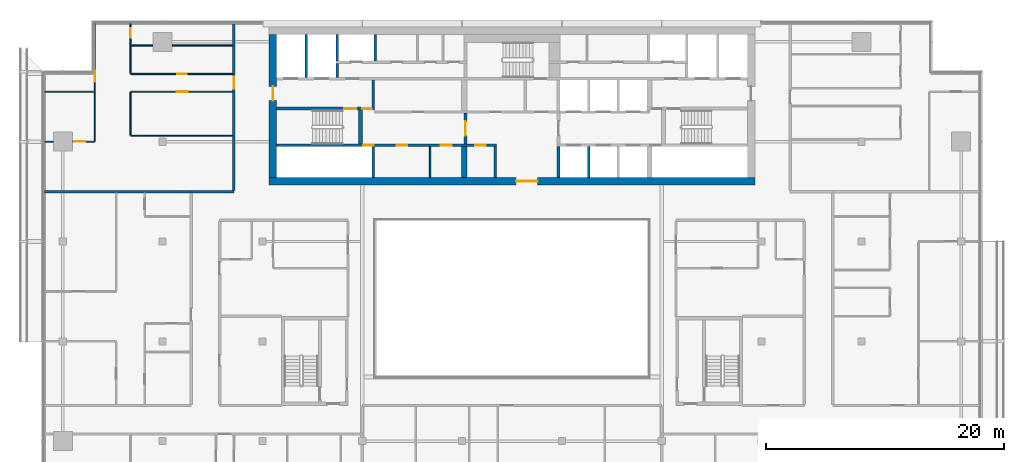
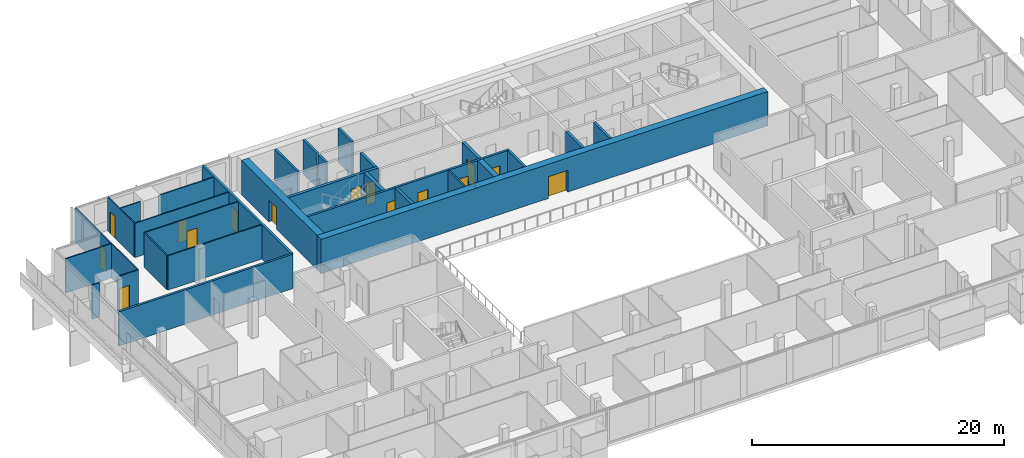
# One storey, part 21 of 29: 31 walls, 15 doors, 15 openings.
"""IFC4 building model written with IfcOpenShell, lengths in metres."""

from ifc_helpers import new_model, si_unit, direction, frame, frame_2d, origin, place, context, subcontext, project, spatial, rectangle, extrude, material, layer, layer_set, type_object, element, fill, save


model = new_model("IFC4")

# Units and contexts
model_context = context("Model", 3, precision=1e-05, world=origin(), true_north=direction((0.0, 1.0)))
body_context = subcontext(model_context, "Body", "Model", "MODEL_VIEW")
ifc_project = project(units=[si_unit("LENGTHUNIT", "METRE"), si_unit("AREAUNIT", "SQUARE_METRE"), si_unit("VOLUMEUNIT", "CUBIC_METRE"), si_unit("PLANEANGLEUNIT", "RADIAN"), si_unit("MASSUNIT", "GRAM", prefix="KILO")], contexts=[model_context])

# Site, building, storey
site_placement = place(None, origin())
site = spatial("IfcSite", under=ifc_project, at=site_placement, CompositionType="ELEMENT")
building_placement = place(site_placement, origin())
building = spatial("IfcBuilding", under=site, at=building_placement, Name="Saffron Gate Tower", CompositionType="ELEMENT")
storey_placement = place(building_placement, frame((0.0, 0.0, 219.89990234375)))
storey = spatial("IfcBuildingStorey", under=building, at=storey_placement, Name="L53", CompositionType="ELEMENT", Elevation=219.89990234375)

# Walls
ifc_material_1 = material(Name="Gypsum board partition on steel studs", Category="steel")
ifc_layer_1 = layer(ifc_material_1, 0.199951171875)
ifc_layer_set_1 = layer_set([ifc_layer_1], Name="CW10 Core partition 200")
wall_type_1 = type_object("IfcWallType", Name="CW10 Core partition 200", PredefinedType="PARTITIONING", material=ifc_layer_set_1)
wall_1_placement = place(storey_placement, frame((86.199951171875, 62.39990234375, 0.0), z_axis=(0.0, 0.0, 1.0), x_axis=(0.0, 1.0, 0.0)))
element("IfcWall", 1, at=wall_1_placement, inside=storey, type_object=wall_type_1, Name="Wall CW10-L53-8", PredefinedType="PARTITIONING", context=body_context, shape_type="SweptSolid", body=[
    extrude(rectangle(XDim=2.60009765625, YDim=0.199951171875, at=frame_2d((1.300048828125, 0.0))), origin(), (0.0, 0.0, 1.0), 3.320068359375),
])
ifc_material_2 = material(Name="Concrete C60", Category="concrete")
ifc_layer_2 = layer(ifc_material_2, 0.25)
ifc_layer_set_2 = layer_set([ifc_layer_2], Name="CW14 RC core wall 250 C60")
wall_type_2 = type_object("IfcWallType", Name="CW14 RC core wall 250 C60", PredefinedType="SOLIDWALL", material=ifc_layer_set_2)
for number, where, z_axis, x_axis, name in (
    (2, (75.925048828125, 62.39990234375, 0.0), (0.0, 0.0, 1.0), (0.0, 1.0, 0.0), "Wall CW14-L53-5"),
    (3, (91.52490234375, 62.39990234375, 0.0), (0.0, 0.0, 1.0), (0.0, 1.0, 0.0), "Wall CW14-L53-9"),
):
    element("IfcWall", number, at=place(storey_placement, frame(where, z_axis=z_axis, x_axis=x_axis)), inside=storey, type_object=wall_type_2, Name=name, PredefinedType="SOLIDWALL", context=body_context, shape_type="SweptSolid", body=[
        extrude(rectangle(XDim=2.60009765625, YDim=0.25, at=frame_2d((1.300048828125, 0.0))), origin(), (0.0, 0.0, 1.0), 3.320068359375),
    ])

# Wall, opening, door
wall_2_placement = place(storey_placement, frame((83.675048828125, 65.199951171875, 0.0), z_axis=(0.0, 0.0, 1.0), x_axis=(0.0, 1.0, 0.0)))
wall_2 = element("IfcWall", 4, at=wall_2_placement, inside=storey, type_object=wall_type_2, Name="Wall CW14-L53-16", PredefinedType="SOLIDWALL", context=body_context, shape_type="SweptSolid", body=[
    extrude(rectangle(XDim=2.60009765625, YDim=0.25, at=frame_2d((1.300048828125, 0.0))), origin(), (0.0, 0.0, 1.0), 3.320068359375),
])
opening_1_placement = place(wall_2_placement, frame((0.699951171875, 0.0, 0.0)))
opening_1 = element("IfcOpeningElement", 5, at=opening_1_placement, cuts=wall_2, Name="Opening CR-07", PredefinedType="OPENING", context=body_context, shape_type="SweptSolid", body=[
    extrude(rectangle(XDim=1.199951171875, YDim=2.10009765625, at=frame_2d((0.60009765625, 1.050048828125))), frame((0.0, 0.135009765625, 0.0), z_axis=(0.0, -1.0, 0.0), x_axis=(1.0, 0.0, 0.0)), (0.0, 0.0, 1.0), 0.27001953125),
])
ifc_material_3 = material(Name="Steel fire door set", Category="steel")
door_type_1 = type_object("IfcDoorType", Name="CD3 Lobby door 1200x2100 EI 120", OperationType="NOTDEFINED", PredefinedType="DOOR", material=ifc_material_3)
door_1_placement = place(opening_1_placement, origin())
door_1 = element("IfcDoor", 6, at=door_1_placement, inside=storey, type_object=door_type_1, Name="DOOR CR-07", OperationType="SINGLE_SWING_RIGHT", OverallHeight=2.10009765625, OverallWidth=1.199951171875, PredefinedType="DOOR", context=body_context, shape_type="SweptSolid", body=[
    extrude(rectangle(XDim=1.199951171875, YDim=2.10009765625, at=frame_2d((0.60009765625, 1.050048828125))), frame((0.0, 0.02490234375, 0.0), z_axis=(0.0, -1.0, 0.0), x_axis=(1.0, 0.0, 0.0)), (0.0, 0.0, 1.0), 0.050048828125),
])
fill(opening_1, door_1)

# Wall, openings, doors
wall_3_placement = place(storey_placement, frame((67.800048828125, 68.175048828125, 0.0), z_axis=(0.0, 0.0, 1.0), x_axis=(1.0, 0.0, 0.0)))
wall_3 = element("IfcWall", 7, at=wall_3_placement, inside=storey, type_object=wall_type_2, Name="Wall CW14-L53-26", PredefinedType="SOLIDWALL", context=body_context, shape_type="SweptSolid", body=[
    extrude(rectangle(XDim=8.25, YDim=0.25, at=frame_2d((4.125, 0.0))), origin(), (0.0, 0.0, 1.0), 3.320068359375),
])
opening_2_placement = place(wall_3_placement, frame((5.699951171875, 0.0, 0.0)))
opening_2 = element("IfcOpeningElement", 8, at=opening_2_placement, cuts=wall_3, Name="Opening CR-15", PredefinedType="OPENING", context=body_context, shape_type="SweptSolid", body=[
    extrude(rectangle(XDim=1.0, YDim=2.10009765625, at=frame_2d((0.5, 1.050048828125))), frame((0.0, 0.135009765625, 0.0), z_axis=(0.0, -1.0, 0.0), x_axis=(1.0, 0.0, 0.0)), (0.0, 0.0, 1.0), 0.27001953125),
])
opening_3_placement = place(wall_3_placement, frame((7.199951171875, 0.0, 0.0)))
opening_3 = element("IfcOpeningElement", 9, at=opening_3_placement, cuts=wall_3, Name="Opening CR-06", PredefinedType="OPENING", context=body_context, shape_type="SweptSolid", body=[
    extrude(rectangle(XDim=0.800048828125, YDim=2.10009765625, at=frame_2d((0.39990234375, 1.050048828125))), frame((0.0, 0.135009765625, 0.0), z_axis=(0.0, -1.0, 0.0), x_axis=(1.0, 0.0, 0.0)), (0.0, 0.0, 1.0), 0.27001953125),
])
door_type_2 = type_object("IfcDoorType", Name="CD5 Stair door 1000x2100 EI 120", OperationType="NOTDEFINED", PredefinedType="DOOR", material=ifc_material_3)
door_2_placement = place(opening_2_placement, origin())
door_2 = element("IfcDoor", 10, at=door_2_placement, inside=storey, type_object=door_type_2, Name="DOOR CR-15", OperationType="SINGLE_SWING_RIGHT", OverallHeight=2.10009765625, OverallWidth=1.0, PredefinedType="DOOR", context=body_context, shape_type="SweptSolid", body=[
    extrude(rectangle(XDim=1.0, YDim=2.10009765625, at=frame_2d((0.5, 1.050048828125))), frame((0.0, 0.02490234375, 0.0), z_axis=(0.0, -1.0, 0.0), x_axis=(1.0, 0.0, 0.0)), (0.0, 0.0, 1.0), 0.050048828125),
])
fill(opening_2, door_2)
door_type_3 = type_object("IfcDoorType", Name="CD6 Lobby door 800x2100 EI 120", OperationType="NOTDEFINED", PredefinedType="DOOR", material=ifc_material_3)
door_3_placement = place(opening_3_placement, origin())
door_3 = element("IfcDoor", 11, at=door_3_placement, inside=storey, type_object=door_type_3, Name="DOOR CR-06", OperationType="SINGLE_SWING_LEFT", OverallHeight=2.10009765625, OverallWidth=0.800048828125, PredefinedType="DOOR", context=body_context, shape_type="SweptSolid", body=[
    extrude(rectangle(XDim=0.800048828125, YDim=2.10009765625, at=frame_2d((0.39990234375, 1.050048828125))), frame((0.0, 0.02490234375, 0.0), z_axis=(0.0, -1.0, 0.0), x_axis=(1.0, 0.0, 0.0)), (0.0, 0.0, 1.0), 0.050048828125),
])
fill(opening_3, door_3)

# Walls
wall_4_placement = place(storey_placement, frame((75.925048828125, 68.300048828125, 0.0), z_axis=(0.0, 0.0, 1.0), x_axis=(0.0, 1.0, 0.0)))
element("IfcWall", 12, at=wall_4_placement, inside=storey, type_object=wall_type_2, Name="Wall CW14-L53-28", PredefinedType="SOLIDWALL", context=body_context, shape_type="SweptSolid", body=[
    extrude(rectangle(XDim=2.300048828125, YDim=0.25, at=frame_2d((1.14990234375, 0.0))), origin(), (0.0, 0.0, 1.0), 3.320068359375),
])
ifc_layer_3 = layer(ifc_material_2, 0.199951171875)
ifc_layer_set_3 = layer_set([ifc_layer_3], Name="CW15 RC core wall 200 C60")
wall_type_3 = type_object("IfcWallType", Name="CW15 RC core wall 200 C60", PredefinedType="SOLIDWALL", material=ifc_layer_set_3)
wall_5_placement = place(storey_placement, frame((94.050048828125, 62.39990234375, 0.0), z_axis=(0.0, 0.0, 1.0), x_axis=(0.0, 1.0, 0.0)))
element("IfcWall", 13, at=wall_5_placement, inside=storey, type_object=wall_type_3, Name="Wall CW15-L53-10", PredefinedType="SOLIDWALL", context=body_context, shape_type="SweptSolid", body=[
    extrude(rectangle(XDim=2.60009765625, YDim=0.199951171875, at=frame_2d((1.300048828125, 0.0))), origin(), (0.0, 0.0, 1.0), 3.320068359375),
])

# Wall, openings, doors
wall_6_placement = place(storey_placement, frame((67.800048828125, 65.10009765625, 0.0), z_axis=(0.0, 0.0, 1.0), x_axis=(1.0, 0.0, 0.0)))
wall_6 = element("IfcWall", 14, at=wall_6_placement, inside=storey, type_object=wall_type_3, Name="Wall CW15-L53-13", PredefinedType="SOLIDWALL", context=body_context, shape_type="SweptSolid", body=[
    extrude(rectangle(XDim=18.5, YDim=0.199951171875, at=frame_2d((9.25, 0.0))), origin(), (0.0, 0.0, 1.0), 3.320068359375),
])
opening_4_placement = place(wall_6_placement, frame((7.27001953125, 0.0, 0.0)))
opening_4 = element("IfcOpeningElement", 15, at=opening_4_placement, cuts=wall_6, Name="Opening CR-49", PredefinedType="OPENING", context=body_context, shape_type="SweptSolid", body=[
    extrude(rectangle(XDim=0.89990234375, YDim=2.10009765625, at=frame_2d((0.449951171875, 1.050048828125))), frame((0.0, 0.10986328125, 0.0), z_axis=(0.0, -1.0, 0.0), x_axis=(1.0, 0.0, 0.0)), (0.0, 0.0, 1.0), 0.219970703125),
])
opening_5_placement = place(wall_6_placement, frame((10.10009765625, 0.0, 0.0)))
opening_5 = element("IfcOpeningElement", 16, at=opening_5_placement, cuts=wall_6, Name="Opening CR-64", PredefinedType="OPENING", context=body_context, shape_type="SweptSolid", body=[
    extrude(rectangle(XDim=0.89990234375, YDim=2.10009765625, at=frame_2d((0.449951171875, 1.050048828125))), frame((0.0, 0.10986328125, 0.0), z_axis=(0.0, -1.0, 0.0), x_axis=(1.0, 0.0, 0.0)), (0.0, 0.0, 1.0), 0.219970703125),
])
opening_6_placement = place(wall_6_placement, frame((13.81005859375, 0.0, 0.0)))
opening_6 = element("IfcOpeningElement", 17, at=opening_6_placement, cuts=wall_6, Name="Opening CR-65", PredefinedType="OPENING", context=body_context, shape_type="SweptSolid", body=[
    extrude(rectangle(XDim=0.89990234375, YDim=2.10009765625, at=frame_2d((0.449951171875, 1.050048828125))), frame((0.0, 0.10986328125, 0.0), z_axis=(0.0, -1.0, 0.0), x_axis=(1.0, 0.0, 0.0)), (0.0, 0.0, 1.0), 0.219970703125),
])
opening_7_placement = place(wall_6_placement, frame((16.699951171875, 0.0, 0.0)))
opening_7 = element("IfcOpeningElement", 18, at=opening_7_placement, cuts=wall_6, Name="Opening CR-69", PredefinedType="OPENING", context=body_context, shape_type="SweptSolid", body=[
    extrude(rectangle(XDim=0.89990234375, YDim=2.10009765625, at=frame_2d((0.449951171875, 1.050048828125))), frame((0.0, 0.10986328125, 0.0), z_axis=(0.0, -1.0, 0.0), x_axis=(1.0, 0.0, 0.0)), (0.0, 0.0, 1.0), 0.219970703125),
])
door_type_4 = type_object("IfcDoorType", Name="CD2 Riser door 900x2100 EI 60", OperationType="NOTDEFINED", PredefinedType="DOOR", material=ifc_material_3)
door_4_placement = place(opening_4_placement, origin())
door_4 = element("IfcDoor", 19, at=door_4_placement, inside=storey, type_object=door_type_4, Name="DOOR CR-49", OperationType="SINGLE_SWING_LEFT", OverallHeight=2.10009765625, OverallWidth=0.89990234375, PredefinedType="DOOR", context=body_context, shape_type="SweptSolid", body=[
    extrude(rectangle(XDim=0.89990234375, YDim=2.10009765625, at=frame_2d((0.449951171875, 1.050048828125))), frame((0.0, 0.02490234375, 0.0), z_axis=(0.0, -1.0, 0.0), x_axis=(1.0, 0.0, 0.0)), (0.0, 0.0, 1.0), 0.050048828125),
])
fill(opening_4, door_4)
door_type_5 = type_object("IfcDoorType", Name="CD9 Room door 900x2100 EI 60", OperationType="NOTDEFINED", PredefinedType="DOOR", material=ifc_material_3)
door_5_placement = place(opening_5_placement, origin())
door_5 = element("IfcDoor", 20, at=door_5_placement, inside=storey, type_object=door_type_5, Name="DOOR CR-64", OperationType="SINGLE_SWING_RIGHT", OverallHeight=2.10009765625, OverallWidth=0.89990234375, PredefinedType="DOOR", context=body_context, shape_type="SweptSolid", body=[
    extrude(rectangle(XDim=0.89990234375, YDim=2.10009765625, at=frame_2d((0.449951171875, 1.050048828125))), frame((0.0, 0.02490234375, 0.0), z_axis=(0.0, -1.0, 0.0), x_axis=(1.0, 0.0, 0.0)), (0.0, 0.0, 1.0), 0.050048828125),
])
fill(opening_5, door_5)
door_6_placement = place(opening_6_placement, origin())
door_6 = element("IfcDoor", 21, at=door_6_placement, inside=storey, type_object=door_type_5, Name="DOOR CR-65", OperationType="SINGLE_SWING_RIGHT", OverallHeight=2.10009765625, OverallWidth=0.89990234375, PredefinedType="DOOR", context=body_context, shape_type="SweptSolid", body=[
    extrude(rectangle(XDim=0.89990234375, YDim=2.10009765625, at=frame_2d((0.449951171875, 1.050048828125))), frame((0.0, 0.02490234375, 0.0), z_axis=(0.0, -1.0, 0.0), x_axis=(1.0, 0.0, 0.0)), (0.0, 0.0, 1.0), 0.050048828125),
])
fill(opening_6, door_6)
door_7_placement = place(opening_7_placement, origin())
door_7 = element("IfcDoor", 22, at=door_7_placement, inside=storey, type_object=door_type_5, Name="DOOR CR-69", OperationType="SINGLE_SWING_RIGHT", OverallHeight=2.10009765625, OverallWidth=0.89990234375, PredefinedType="DOOR", context=body_context, shape_type="SweptSolid", body=[
    extrude(rectangle(XDim=0.89990234375, YDim=2.10009765625, at=frame_2d((0.449951171875, 1.050048828125))), frame((0.0, 0.02490234375, 0.0), z_axis=(0.0, -1.0, 0.0), x_axis=(1.0, 0.0, 0.0)), (0.0, 0.0, 1.0), 0.050048828125),
])
fill(opening_7, door_7)

# Walls
wall_7_placement = place(storey_placement, frame((70.300048828125, 70.800048828125, 0.0), z_axis=(0.0, 0.0, 1.0), x_axis=(0.0, 1.0, 0.0)))
element("IfcWall", 23, at=wall_7_placement, inside=storey, type_object=wall_type_3, Name="Wall CW15-L53-31", PredefinedType="SOLIDWALL", context=body_context, shape_type="SweptSolid", body=[
    extrude(rectangle(XDim=3.599853515625, YDim=0.199951171875, at=frame_2d((1.7998046875, 0.0))), origin(), (0.0, 0.0, 1.0), 3.320068359375),
])
wall_8_placement = place(storey_placement, frame((72.89990234375, 70.800048828125, 0.0), z_axis=(0.0, 0.0, 1.0), x_axis=(0.0, 1.0, 0.0)))
element("IfcWall", 24, at=wall_8_placement, inside=storey, type_object=wall_type_3, Name="Wall CW15-L53-32", PredefinedType="SOLIDWALL", context=body_context, shape_type="SweptSolid", body=[
    extrude(rectangle(XDim=1.199951171875, YDim=0.199951171875, at=frame_2d((0.60009765625, 0.0))), origin(), (0.0, 0.0, 1.0), 3.320068359375),
])
for number, where, z_axis, x_axis, name in (
    (25, (72.89990234375, 72.199951171875, 0.0), (0.0, 0.0, 1.0), (0.0, 1.0, 0.0), "Wall CW15-L53-39"),
    (26, (76.10009765625, 72.199951171875, 0.0), (0.0, 0.0, 1.0), (0.0, 1.0, 0.0), "Wall CW15-L53-40"),
):
    element("IfcWall", number, at=place(storey_placement, frame(where, z_axis=z_axis, x_axis=x_axis)), inside=storey, type_object=wall_type_3, Name=name, PredefinedType="SOLIDWALL", context=body_context, shape_type="SweptSolid", body=[
        extrude(rectangle(XDim=2.199951171875, YDim=0.199951171875, at=frame_2d((1.10009765625, 0.0))), origin(), (0.0, 0.0, 1.0), 3.320068359375),
    ])
ifc_layer_4 = layer(ifc_material_2, 0.449951171875)
ifc_layer_set_4 = layer_set([ifc_layer_4], Name="CW16 RC core wall 450 C60")
wall_type_4 = type_object("IfcWallType", Name="CW16 RC core wall 450 C60", PredefinedType="SOLIDWALL", material=ifc_layer_set_4)
wall_9_placement = place(storey_placement, frame((83.574951171875, 62.39990234375, 0.0), z_axis=(0.0, 0.0, 1.0), x_axis=(0.0, 1.0, 0.0)))
element("IfcWall", 27, at=wall_9_placement, inside=storey, type_object=wall_type_4, Name="Wall CW16-L53-7", PredefinedType="SOLIDWALL", context=body_context, shape_type="SweptSolid", body=[
    extrude(rectangle(XDim=2.60009765625, YDim=0.449951171875, at=frame_2d((1.300048828125, 0.0))), origin(), (0.0, 0.0, 1.0), 3.320068359375),
])
ifc_layer_5 = layer(ifc_material_2, 0.300048828125)
ifc_layer_set_5 = layer_set([ifc_layer_5], Name="CW17 RC core wall 300 C60")
wall_type_5 = type_object("IfcWallType", Name="CW17 RC core wall 300 C60", PredefinedType="SOLIDWALL", material=ifc_layer_set_5)
wall_10_placement = place(storey_placement, frame((74.85009765625, 65.199951171875, 0.0), z_axis=(0.0, 0.0, 1.0), x_axis=(0.0, 1.0, 0.0)))
element("IfcWall", 28, at=wall_10_placement, inside=storey, type_object=wall_type_5, Name="Wall CW17-L53-15", PredefinedType="SOLIDWALL", context=body_context, shape_type="SweptSolid", body=[
    extrude(rectangle(XDim=2.85009765625, YDim=0.300048828125, at=frame_2d((1.425048828125, 0.0))), origin(), (0.0, 0.0, 1.0), 3.320068359375),
])

# Wall, opening, door
ifc_layer_6 = layer(ifc_material_2, 0.64990234375)
ifc_layer_set_6 = layer_set([ifc_layer_6], Name="CW20 RC core wall 650 C60")
wall_type_6 = type_object("IfcWallType", Name="CW20 RC core wall 650 C60", PredefinedType="SOLIDWALL", material=ifc_layer_set_6)
wall_11_placement = place(storey_placement, frame((67.14990234375, 62.074951171875, 0.0), z_axis=(0.0, 0.0, 1.0), x_axis=(1.0, 0.0, 0.0)))
wall_11 = element("IfcWall", 29, at=wall_11_placement, inside=storey, type_object=wall_type_6, Name="Wall CW20-L53-1", PredefinedType="SOLIDWALL", context=body_context, shape_type="SweptSolid", body=[
    extrude(rectangle(XDim=40.900146484375, YDim=0.64990234375, at=frame_2d((20.4501953125, 0.0))), origin(), (0.0, 0.0, 1.0), 3.320068359375),
])
opening_8_placement = place(wall_11_placement, frame((20.800048828125, 0.0, 0.0)))
opening_8 = element("IfcOpeningElement", 30, at=opening_8_placement, cuts=wall_11, Name="Opening CR-09", PredefinedType="OPENING", context=body_context, shape_type="SweptSolid", body=[
    extrude(rectangle(XDim=1.800048828125, YDim=2.10009765625, at=frame_2d((0.89990234375, 1.050048828125))), frame((0.0, 0.3349609375, 0.0), z_axis=(0.0, -1.0, 0.0), x_axis=(1.0, 0.0, 0.0)), (0.0, 0.0, 1.0), 0.669921875),
])
door_type_6 = type_object("IfcDoorType", Name="CD1 Core entrance door 1800x2100 EI 120", OperationType="NOTDEFINED", PredefinedType="DOOR", material=ifc_material_3)
door_8_placement = place(opening_8_placement, origin())
door_8 = element("IfcDoor", 31, at=door_8_placement, inside=storey, type_object=door_type_6, Name="DOOR CR-09", OperationType="DOUBLE_DOOR_SINGLE_SWING", OverallHeight=2.10009765625, OverallWidth=1.800048828125, PredefinedType="DOOR", context=body_context, shape_type="SweptSolid", body=[
    extrude(rectangle(XDim=1.800048828125, YDim=2.10009765625, at=frame_2d((0.89990234375, 1.050048828125))), frame((0.0, 0.02490234375, 0.0), z_axis=(0.0, -1.0, 0.0), x_axis=(1.0, 0.0, 0.0)), (0.0, 0.0, 1.0), 0.050048828125),
])
fill(opening_8, door_8)

wall_12_placement = place(storey_placement, frame((67.47509765625, 62.39990234375, 0.0), z_axis=(0.0, 0.0, 1.0), x_axis=(0.0, 1.0, 0.0)))
wall_12 = element("IfcWall", 32, at=wall_12_placement, inside=storey, type_object=wall_type_6, Name="Wall CW20-L53-3", PredefinedType="SOLIDWALL", context=body_context, shape_type="SweptSolid", body=[
    extrude(rectangle(XDim=12.0, YDim=0.64990234375, at=frame_2d((6.0, 0.0))), origin(), (0.0, 0.0, 1.0), 3.320068359375),
])
opening_9_placement = place(wall_12_placement, frame((6.449951171875, 0.0, 0.0)))
opening_9 = element("IfcOpeningElement", 33, at=opening_9_placement, cuts=wall_12, Name="Opening CR-10", PredefinedType="OPENING", context=body_context, shape_type="SweptSolid", body=[
    extrude(rectangle(XDim=1.199951171875, YDim=2.10009765625, at=frame_2d((0.60009765625, 1.050048828125))), frame((0.0, 0.3349609375, 0.0), z_axis=(0.0, -1.0, 0.0), x_axis=(1.0, 0.0, 0.0)), (0.0, 0.0, 1.0), 0.669921875),
])
door_type_7 = type_object("IfcDoorType", Name="CD7 Core entrance door 1200x2100 EI 120", OperationType="NOTDEFINED", PredefinedType="DOOR", material=ifc_material_3)
door_9_placement = place(opening_9_placement, origin())
door_9 = element("IfcDoor", 34, at=door_9_placement, inside=storey, type_object=door_type_7, Name="DOOR CR-10", OperationType="SINGLE_SWING_LEFT", OverallHeight=2.10009765625, OverallWidth=1.199951171875, PredefinedType="DOOR", context=body_context, shape_type="SweptSolid", body=[
    extrude(rectangle(XDim=1.199951171875, YDim=2.10009765625, at=frame_2d((0.60009765625, 1.050048828125))), frame((0.0, 0.02490234375, 0.0), z_axis=(0.0, -1.0, 0.0), x_axis=(1.0, 0.0, 0.0)), (0.0, 0.0, 1.0), 0.050048828125),
])
fill(opening_9, door_9)

# Walls
ifc_layer_7 = layer(ifc_material_1, 0.1201171875)
ifc_layer_set_7 = layer_set([ifc_layer_7], Name="CW8 Core partition 120")
wall_type_7 = type_object("IfcWallType", Name="CW8 Core partition 120", PredefinedType="PARTITIONING", material=ifc_layer_set_7)
wall_13_placement = place(storey_placement, frame((80.7099609375, 62.39990234375, 0.0), z_axis=(0.0, 0.0, 1.0), x_axis=(0.0, 1.0, 0.0)))
element("IfcWall", 35, at=wall_13_placement, inside=storey, type_object=wall_type_7, Name="Wall CW8-L53-6", PredefinedType="PARTITIONING", context=body_context, shape_type="SweptSolid", body=[
    extrude(rectangle(XDim=2.60009765625, YDim=0.1201171875, at=frame_2d((1.300048828125, 0.0))), origin(), (0.0, 0.0, 1.0), 3.320068359375),
])
ifc_material_4 = material(Name="Plasterboard on steel studs", Category="steel")
ifc_layer_8 = layer(ifc_material_4, 0.10009765625)
ifc_layer_set_8 = layer_set([ifc_layer_8], Name="PW1 Partition 100")
wall_type_8 = type_object("IfcWallType", Name="PW1 Partition 100", PredefinedType="PARTITIONING", material=ifc_layer_set_8)
wall_14_placement = place(storey_placement, frame((48.280029296875, 65.39990234375, 0.0), z_axis=(0.0, 0.0, 1.0), x_axis=(1.0, 0.0, 0.0)))
element("IfcWall", 36, at=wall_14_placement, inside=storey, type_object=wall_type_8, Name="Partition D2-44", PredefinedType="PARTITIONING", context=body_context, shape_type="SweptSolid", body=[
    extrude(rectangle(XDim=0.699951171875, YDim=0.10009765625, at=frame_2d((0.35009765625, 0.0))), origin(), (0.0, 0.0, 1.0), 3.320068359375),
])

# Wall, opening, door
wall_15_placement = place(storey_placement, frame((50.6201171875, 65.39990234375, 0.0), z_axis=(0.0, 0.0, 1.0), x_axis=(1.0, 0.0, 0.0)))
wall_15 = element("IfcWall", 37, at=wall_15_placement, inside=storey, type_object=wall_type_8, Name="Partition D2-45", PredefinedType="PARTITIONING", context=body_context, shape_type="SweptSolid", body=[
    extrude(rectangle(XDim=1.8798828125, YDim=0.10009765625, at=frame_2d((0.93994140625, 0.0))), origin(), (0.0, 0.0, 1.0), 3.320068359375),
])
opening_10_placement = place(wall_15_placement, frame((0.14990234375, 0.0, 0.0)))
opening_10 = element("IfcOpeningElement", 38, at=opening_10_placement, cuts=wall_15, Name="Opening D2-28", PredefinedType="OPENING", context=body_context, shape_type="SweptSolid", body=[
    extrude(rectangle(XDim=0.89990234375, YDim=2.10009765625, at=frame_2d((0.449951171875, 1.050048828125))), frame((0.0, 0.06005859375, 0.0), z_axis=(0.0, -1.0, 0.0), x_axis=(1.0, 0.0, 0.0)), (0.0, 0.0, 1.0), 0.1201171875),
])
ifc_material_5 = material(Name="Timber door set", Category="wood")
door_type_8 = type_object("IfcDoorType", Name="RD1 Room door 900x2100", OperationType="NOTDEFINED", PredefinedType="DOOR", material=ifc_material_5)
door_10_placement = place(opening_10_placement, origin())
door_10 = element("IfcDoor", 39, at=door_10_placement, inside=storey, type_object=door_type_8, Name="Door D2-28", OperationType="SINGLE_SWING_LEFT", OverallHeight=2.10009765625, OverallWidth=0.89990234375, PredefinedType="DOOR", context=body_context, shape_type="SweptSolid", body=[
    extrude(rectangle(XDim=0.89990234375, YDim=2.10009765625, at=frame_2d((0.449951171875, 1.050048828125))), frame((0.0, 0.02490234375, 0.0), z_axis=(0.0, -1.0, 0.0), x_axis=(1.0, 0.0, 0.0)), (0.0, 0.0, 1.0), 0.050048828125),
])
fill(opening_10, door_10)

# Walls
wall_16_placement = place(storey_placement, frame((55.5, 65.91259765625, 0.0), z_axis=(0.0, 0.0, 1.0), x_axis=(1.0, 0.0, 0.0)))
element("IfcWall", 40, at=wall_16_placement, inside=storey, type_object=wall_type_8, Name="Partition D2-48", PredefinedType="PARTITIONING", context=body_context, shape_type="SweptSolid", body=[
    extrude(rectangle(XDim=8.60009765625, YDim=0.10009765625, at=frame_2d((4.300048828125, 0.0))), origin(), (0.0, 0.0, 1.0), 3.320068359375),
])
wall_17_placement = place(storey_placement, frame((48.280029296875, 69.60009765625, 0.0), z_axis=(0.0, 0.0, 1.0), x_axis=(1.0, 0.0, 0.0)))
element("IfcWall", 41, at=wall_17_placement, inside=storey, type_object=wall_type_8, Name="Partition D2-50", PredefinedType="PARTITIONING", context=body_context, shape_type="SweptSolid", body=[
    extrude(rectangle(XDim=4.169921875, YDim=0.10009765625, at=frame_2d((2.0849609375, 0.0))), origin(), (0.0, 0.0, 1.0), 3.320068359375),
])

# Wall, opening, door
wall_18_placement = place(storey_placement, frame((64.10009765625, 69.60009765625, 0.0), z_axis=(0.0, 0.0, 1.0), x_axis=(-1.0, 0.0, 0.0)))
wall_18 = element("IfcWall", 42, at=wall_18_placement, inside=storey, type_object=wall_type_8, Name="Partition D2-51", PredefinedType="PARTITIONING", context=body_context, shape_type="SweptSolid", body=[
    extrude(rectangle(XDim=8.60009765625, YDim=0.10009765625, at=frame_2d((4.300048828125, 0.0))), origin(), (0.0, 0.0, 1.0), 3.320068359375),
])
opening_11_placement = place(wall_18_placement, frame((3.800048828125, 0.0, 0.0)))
opening_11 = element("IfcOpeningElement", 43, at=opening_11_placement, cuts=wall_18, Name="Opening D2-30", PredefinedType="OPENING", context=body_context, shape_type="SweptSolid", body=[
    extrude(rectangle(XDim=0.89990234375, YDim=2.10009765625, at=frame_2d((0.449951171875, 1.050048828125))), frame((0.0, 0.06005859375, 0.0), z_axis=(0.0, -1.0, 0.0), x_axis=(1.0, 0.0, 0.0)), (0.0, 0.0, 1.0), 0.1201171875),
])
door_11_placement = place(opening_11_placement, origin())
door_11 = element("IfcDoor", 44, at=door_11_placement, inside=storey, type_object=door_type_8, Name="Door D2-30", OperationType="SINGLE_SWING_LEFT", OverallHeight=2.10009765625, OverallWidth=0.89990234375, PredefinedType="DOOR", context=body_context, shape_type="SweptSolid", body=[
    extrude(rectangle(XDim=0.89990234375, YDim=2.10009765625, at=frame_2d((0.449951171875, 1.050048828125))), frame((0.0, 0.02490234375, 0.0), z_axis=(0.0, -1.0, 0.0), x_axis=(1.0, 0.0, 0.0)), (0.0, 0.0, 1.0), 0.050048828125),
])
fill(opening_11, door_11)

wall_19_placement = place(storey_placement, frame((55.5, 71.10009765625, 0.0), z_axis=(0.0, 0.0, 1.0), x_axis=(1.0, 0.0, 0.0)))
wall_19 = element("IfcWall", 45, at=wall_19_placement, inside=storey, type_object=wall_type_8, Name="Partition D2-54", PredefinedType="PARTITIONING", context=body_context, shape_type="SweptSolid", body=[
    extrude(rectangle(XDim=8.60009765625, YDim=0.10009765625, at=frame_2d((4.300048828125, 0.0))), origin(), (0.0, 0.0, 1.0), 3.320068359375),
])
opening_12_placement = place(wall_19_placement, frame((3.949951171875, 0.0, 0.0)))
opening_12 = element("IfcOpeningElement", 46, at=opening_12_placement, cuts=wall_19, Name="Opening D2-47", PredefinedType="OPENING", context=body_context, shape_type="SweptSolid", body=[
    extrude(rectangle(XDim=0.800048828125, YDim=2.10009765625, at=frame_2d((0.39990234375, 1.050048828125))), frame((0.0, 0.06005859375, 0.0), z_axis=(0.0, -1.0, 0.0), x_axis=(1.0, 0.0, 0.0)), (0.0, 0.0, 1.0), 0.1201171875),
])
door_type_9 = type_object("IfcDoorType", Name="RD2 Bathroom door 800x2100", OperationType="NOTDEFINED", PredefinedType="DOOR", material=ifc_material_5)
door_12_placement = place(opening_12_placement, origin())
door_12 = element("IfcDoor", 47, at=door_12_placement, inside=storey, type_object=door_type_9, Name="Door D2-47", OperationType="SINGLE_SWING_RIGHT", OverallHeight=2.10009765625, OverallWidth=0.800048828125, PredefinedType="DOOR", context=body_context, shape_type="SweptSolid", body=[
    extrude(rectangle(XDim=0.800048828125, YDim=2.10009765625, at=frame_2d((0.39990234375, 1.050048828125))), frame((0.0, 0.02490234375, 0.0), z_axis=(0.0, -1.0, 0.0), x_axis=(1.0, 0.0, 0.0)), (0.0, 0.0, 1.0), 0.050048828125),
])
fill(opening_12, door_12)

# Walls
wall_20_placement = place(storey_placement, frame((55.550048828125, 73.5, 0.0), z_axis=(0.0, 0.0, 1.0), x_axis=(1.0, 0.0, 0.0)))
element("IfcWall", 48, at=wall_20_placement, inside=storey, type_object=wall_type_8, Name="Partition D2-56", PredefinedType="PARTITIONING", context=body_context, shape_type="SweptSolid", body=[
    extrude(rectangle(XDim=1.829833984375, YDim=0.10009765625, at=frame_2d((0.9150390625, 0.0))), origin(), (0.0, 0.0, 1.0), 3.320068359375),
])
wall_21_placement = place(storey_placement, frame((59.02001953125, 73.5, 0.0), z_axis=(0.0, 0.0, 1.0), x_axis=(1.0, 0.0, 0.0)))
element("IfcWall", 49, at=wall_21_placement, inside=storey, type_object=wall_type_8, Name="Partition D2-57", PredefinedType="PARTITIONING", context=body_context, shape_type="SweptSolid", body=[
    extrude(rectangle(XDim=5.080078125, YDim=0.10009765625, at=frame_2d((2.5400390625, 0.0))), origin(), (0.0, 0.0, 1.0), 3.320068359375),
])

# Wall, opening, door
wall_22_placement = place(storey_placement, frame((52.5, 65.449951171875, 0.0), z_axis=(0.0, 0.0, 1.0), x_axis=(0.0, 1.0, 0.0)))
wall_22 = element("IfcWall", 50, at=wall_22_placement, inside=storey, type_object=wall_type_8, Name="Partition D2-58", PredefinedType="PARTITIONING", context=body_context, shape_type="SweptSolid", body=[
    extrude(rectangle(XDim=9.8701171875, YDim=0.10009765625, at=frame_2d((4.93505859375, 0.0))), origin(), (0.0, 0.0, 1.0), 3.320068359375),
])
opening_13_placement = place(wall_22_placement, frame((5.00390625, 0.0, 0.0)))
opening_13 = element("IfcOpeningElement", 51, at=opening_13_placement, cuts=wall_22, Name="Opening D2-29", PredefinedType="OPENING", context=body_context, shape_type="SweptSolid", body=[
    extrude(rectangle(XDim=0.89990234375, YDim=2.10009765625, at=frame_2d((0.449951171875, 1.050048828125))), frame((0.0, 0.06005859375, 0.0), z_axis=(0.0, -1.0, 0.0), x_axis=(1.0, 0.0, 0.0)), (0.0, 0.0, 1.0), 0.1201171875),
])
door_13_placement = place(opening_13_placement, origin())
door_13 = element("IfcDoor", 52, at=door_13_placement, inside=storey, type_object=door_type_8, Name="Door D2-29", OperationType="SINGLE_SWING_LEFT", OverallHeight=2.10009765625, OverallWidth=0.89990234375, PredefinedType="DOOR", context=body_context, shape_type="SweptSolid", body=[
    extrude(rectangle(XDim=0.89990234375, YDim=2.10009765625, at=frame_2d((0.449951171875, 1.050048828125))), frame((0.0, 0.02490234375, 0.0), z_axis=(0.0, -1.0, 0.0), x_axis=(1.0, 0.0, 0.0)), (0.0, 0.0, 1.0), 0.050048828125),
])
fill(opening_13, door_13)

# Wall
wall_23_placement = place(storey_placement, frame((55.5, 69.550048828125, 0.0), z_axis=(0.0, 0.0, 1.0), x_axis=(0.0, -1.0, 0.0)))
element("IfcWall", 53, at=wall_23_placement, inside=storey, type_object=wall_type_8, Name="Partition D2-63", PredefinedType="PARTITIONING", context=body_context, shape_type="SweptSolid", body=[
    extrude(rectangle(XDim=3.58740234375, YDim=0.10009765625, at=frame_2d((1.793701171875, 0.0))), origin(), (0.0, 0.0, 1.0), 3.320068359375),
])

# Wall, opening, door
wall_24_placement = place(storey_placement, frame((55.5, 75.320068359375, 0.0), z_axis=(0.0, 0.0, 1.0), x_axis=(0.0, -1.0, 0.0)))
wall_24 = element("IfcWall", 54, at=wall_24_placement, inside=storey, type_object=wall_type_8, Name="Partition D2-64", PredefinedType="PARTITIONING", context=body_context, shape_type="SweptSolid", body=[
    extrude(rectangle(XDim=4.170166015625, YDim=0.10009765625, at=frame_2d((2.0849609375, 0.0))), origin(), (0.0, 0.0, 1.0), 3.320068359375),
])
opening_14_placement = place(wall_24_placement, frame((0.3701171875, 0.0, 0.0)))
opening_14 = element("IfcOpeningElement", 55, at=opening_14_placement, cuts=wall_24, Name="Opening D2-48", PredefinedType="OPENING", context=body_context, shape_type="SweptSolid", body=[
    extrude(rectangle(XDim=0.800048828125, YDim=2.10009765625, at=frame_2d((0.39990234375, 1.050048828125))), frame((0.0, 0.06005859375, 0.0), z_axis=(0.0, -1.0, 0.0), x_axis=(1.0, 0.0, 0.0)), (0.0, 0.0, 1.0), 0.1201171875),
])
door_14_placement = place(opening_14_placement, origin())
door_14 = element("IfcDoor", 56, at=door_14_placement, inside=storey, type_object=door_type_9, Name="Door D2-48", OperationType="SINGLE_SWING_LEFT", OverallHeight=2.10009765625, OverallWidth=0.800048828125, PredefinedType="DOOR", context=body_context, shape_type="SweptSolid", body=[
    extrude(rectangle(XDim=0.800048828125, YDim=2.10009765625, at=frame_2d((0.39990234375, 1.050048828125))), frame((0.0, 0.02490234375, 0.0), z_axis=(0.0, -1.0, 0.0), x_axis=(1.0, 0.0, 0.0)), (0.0, 0.0, 1.0), 0.050048828125),
])
fill(opening_14, door_14)

# Walls
ifc_material_6 = material(Name="Clay brick masonry, rendered", Category="masonry")
ifc_layer_9 = layer(ifc_material_6, 0.199951171875)
ifc_layer_set_9 = layer_set([ifc_layer_9], Name="PW2 Demising wall 200")
wall_type_9 = type_object("IfcWallType", Name="PW2 Demising wall 200", PredefinedType="PARTITIONING", material=ifc_layer_set_9)
wall_25_placement = place(storey_placement, frame((48.280029296875, 61.199951171875, 0.0), z_axis=(0.0, 0.0, 1.0), x_axis=(1.0, 0.0, 0.0)))
element("IfcWall", 57, at=wall_25_placement, inside=storey, type_object=wall_type_9, Name="Wall D2-42", PredefinedType="PARTITIONING", context=body_context, shape_type="SweptSolid", body=[
    extrude(rectangle(XDim=12.320068359375, YDim=0.199951171875, at=frame_2d((6.16015625, 0.0))), origin(), (0.0, 0.0, 1.0), 3.320068359375),
])
ifc_layer_10 = layer(ifc_material_6, 0.199951171875)
ifc_layer_set_10 = layer_set([ifc_layer_10], Name="PW3 Corridor wall 200")
wall_type_10 = type_object("IfcWallType", Name="PW3 Corridor wall 200", PredefinedType="PARTITIONING", material=ifc_layer_set_10)
wall_26_placement = place(storey_placement, frame((60.60009765625, 61.199951171875, 0.0), z_axis=(0.0, 0.0, 1.0), x_axis=(1.0, 0.0, 0.0)))
element("IfcWall", 58, at=wall_26_placement, inside=storey, type_object=wall_type_10, Name="Wall D2-40", PredefinedType="PARTITIONING", context=body_context, shape_type="SweptSolid", body=[
    extrude(rectangle(XDim=3.599853515625, YDim=0.199951171875, at=frame_2d((1.7998046875, 0.0))), origin(), (0.0, 0.0, 1.0), 3.320068359375),
])

# Wall, opening, door
wall_27_placement = place(storey_placement, frame((64.199951171875, 61.300048828125, 0.0), z_axis=(0.0, 0.0, 1.0), x_axis=(0.0, 1.0, 0.0)))
wall_27 = element("IfcWall", 59, at=wall_27_placement, inside=storey, type_object=wall_type_10, Name="Wall D2-71", PredefinedType="PARTITIONING", context=body_context, shape_type="SweptSolid", body=[
    extrude(rectangle(XDim=14.02001953125, YDim=0.199951171875, at=frame_2d((7.010009765625, 0.0))), origin(), (0.0, 0.0, 1.0), 3.320068359375),
])
opening_15_placement = place(wall_27_placement, frame((8.550048828125, 0.0, 0.0)))
opening_15 = element("IfcOpeningElement", 60, at=opening_15_placement, cuts=wall_27, Name="Opening D2-5", PredefinedType="OPENING", context=body_context, shape_type="SweptSolid", body=[
    extrude(rectangle(XDim=1.0, YDim=2.10009765625, at=frame_2d((0.5, 1.050048828125))), frame((0.0, 0.10986328125, 0.0), z_axis=(0.0, -1.0, 0.0), x_axis=(1.0, 0.0, 0.0)), (0.0, 0.0, 1.0), 0.219970703125),
])
ifc_material_7 = material(Name="Timber fire door set", Category="wood")
door_type_10 = type_object("IfcDoorType", Name="FD1 Flat entry door 1000x2100", OperationType="NOTDEFINED", PredefinedType="DOOR", material=ifc_material_7)
door_15_placement = place(opening_15_placement, origin())
door_15 = element("IfcDoor", 61, at=door_15_placement, inside=storey, type_object=door_type_10, Name="Door D2-5", OperationType="SINGLE_SWING_LEFT", OverallHeight=2.10009765625, OverallWidth=1.0, PredefinedType="DOOR", context=body_context, shape_type="SweptSolid", body=[
    extrude(rectangle(XDim=1.0, YDim=2.10009765625, at=frame_2d((0.5, 1.050048828125))), frame((0.0, 0.02490234375, 0.0), z_axis=(0.0, -1.0, 0.0), x_axis=(1.0, 0.0, 0.0)), (0.0, 0.0, 1.0), 0.050048828125),
])
fill(opening_15, door_15)

save(model, "model.ifc")
